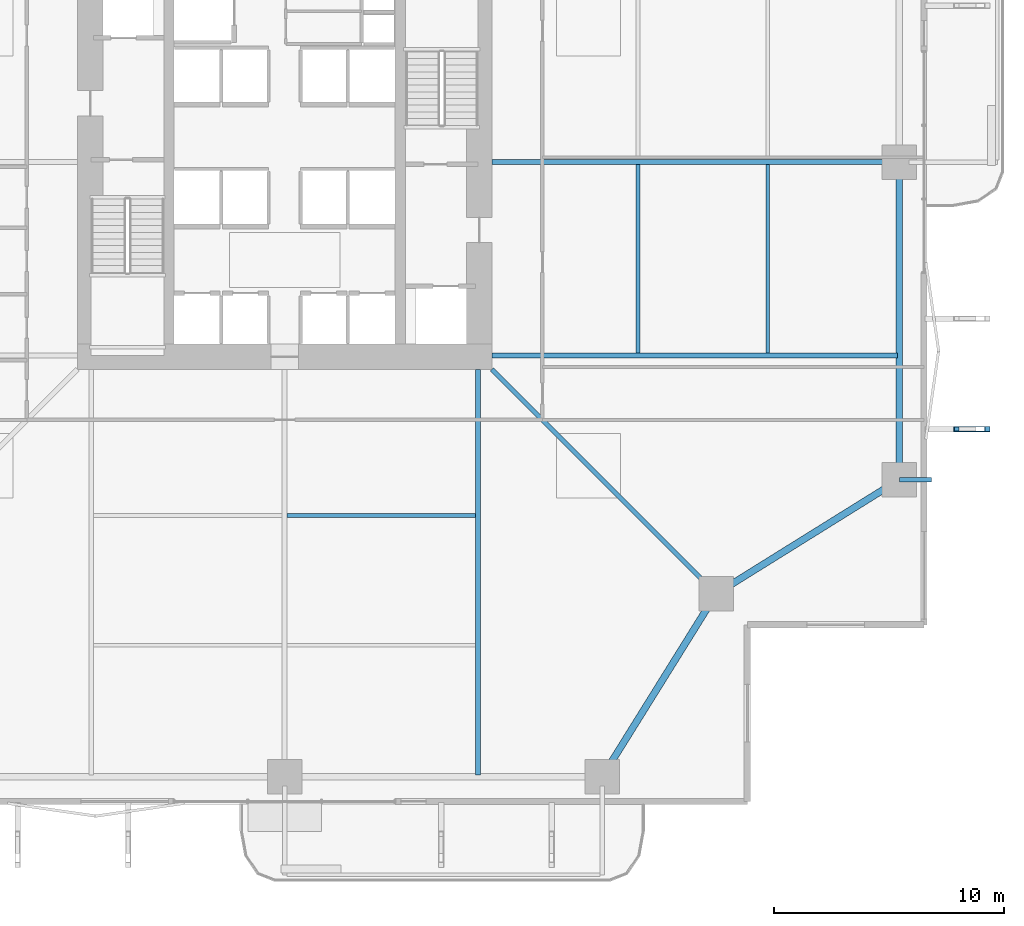
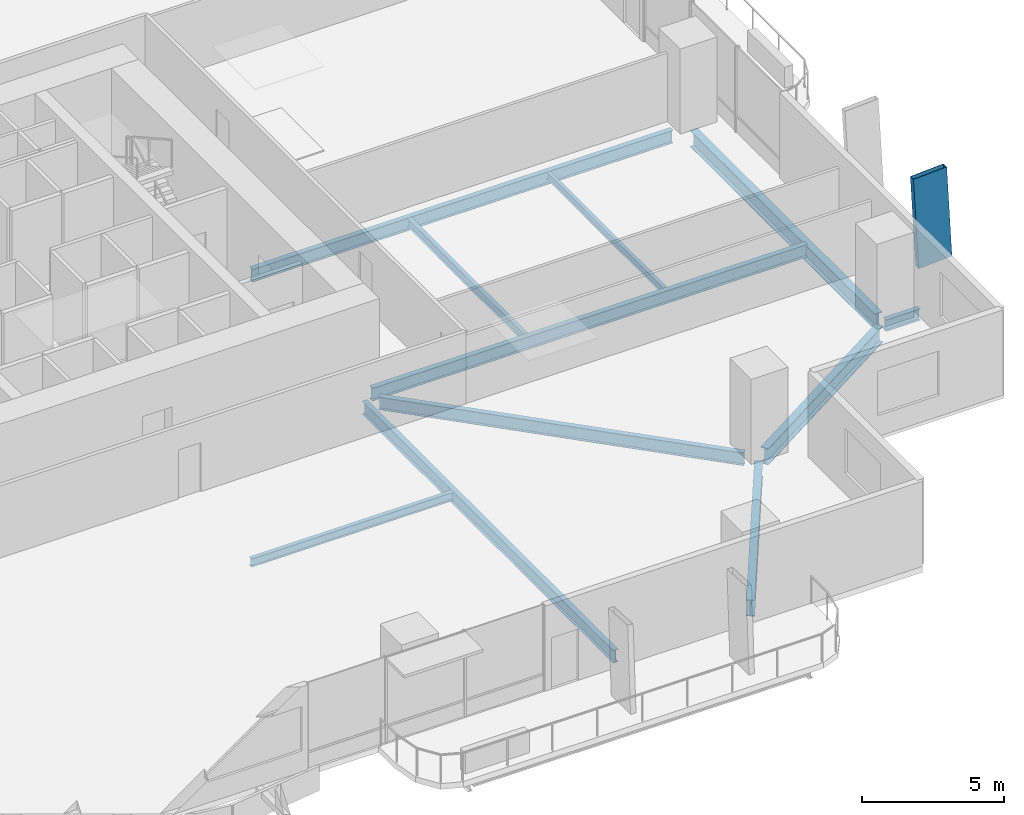
# One storey, part 7 of 23: 11 beams, 1 member.
"""IFC4 building model written with IfcOpenShell, lengths in metres."""

from ifc_helpers import new_model, si_unit, direction, frame, origin, origin_2d, place, context, subcontext, project, spatial, hollow_rectangle, i_section, extrude, material, material_profile, profile_set, type_object, element, save


model = new_model("IFC4")

# Units and contexts
model_context = context("Model", 3, precision=1e-05, world=origin(), true_north=direction((0.0, 1.0)))
body_context = subcontext(model_context, "Body", "Model", "MODEL_VIEW")
ifc_project = project(units=[si_unit("LENGTHUNIT", "METRE"), si_unit("AREAUNIT", "SQUARE_METRE"), si_unit("VOLUMEUNIT", "CUBIC_METRE"), si_unit("PLANEANGLEUNIT", "RADIAN"), si_unit("MASSUNIT", "GRAM", prefix="KILO")], contexts=[model_context])

# Site, building, storey
site_placement = place(None, origin())
site = spatial("IfcSite", under=ifc_project, at=site_placement, CompositionType="ELEMENT")
building_placement = place(site_placement, origin())
building = spatial("IfcBuilding", under=site, at=building_placement, Name="Belovzor Exchange Tower", CompositionType="ELEMENT")
storey_placement = place(building_placement, frame((0.0, 0.0, 57.300048828125)))
storey = spatial("IfcBuildingStorey", under=building, at=storey_placement, Name="L13", CompositionType="ELEMENT", Elevation=57.300048828125)

# Member
ifc_material_1 = material(Name="Extruded Architectural Terracotta on Steel S355 Carrier", Category="masonry")
ifc_material_profile_1 = material_profile(ifc_material_1, hollow_rectangle(XDim=0.219970703125, YDim=1.35009765625, WallThickness=0.013916015625, at=origin_2d()))
ifc_profile_set_1 = profile_set([ifc_material_profile_1], Name="Extruded Architectural Terracotta on Steel S355 Carrier")
member_type = type_object("IfcMemberType", Name="Base Arc Sweeping Terracotta Pylon Fin 1450", PredefinedType="USERDEFINED", material=ifc_profile_set_1)
member_placement = place(storey_placement, frame((58.762939453125, 17.199951171875, -0.25), z_axis=(-0.054756839471, 0.0, 0.998499718844), x_axis=(0.0, -1.0, 0.0)))
element("IfcMember", 1, at=member_placement, inside=storey, type_object=member_type, Name="FIN-TC145 Terracotta Facade Fin L13 E1", ObjectType="FIN", PredefinedType="USERDEFINED", context=body_context, shape_type="SweptSolid", body=[
    extrude(hollow_rectangle(XDim=0.219970703125, YDim=1.35009765625, WallThickness=0.013916015625, at=origin_2d()), origin(), (0.0, 0.0, 1.0), 3.90576171875),
])

# Beams
ifc_material_2 = material(Name="Steel S355", Category="steel")
ifc_material_profile_2 = material_profile(ifc_material_2, i_section(OverallWidth=0.199951171875, OverallDepth=0.5, WebThickness=0.01025390625, FlangeThickness=0.01611328125, at=origin_2d()))
ifc_profile_set_2 = profile_set([ifc_material_profile_2], Name="Steel S355")
beam_type_1 = type_object("IfcBeamType", Name="Planted Balcony Cantilever Beam IPE 500", PredefinedType="BEAM", material=ifc_profile_set_2)
beam_1_placement = place(storey_placement, frame((55.5, 15.0, -0.5), z_axis=(1.0, 0.0, 0.0), x_axis=(0.0, 1.0, 0.0)))
element("IfcBeam", 2, at=beam_1_placement, inside=storey, type_object=beam_type_1, Name="BC-500 Planted Balcony Cantilever Beam IPE 500", PredefinedType="BEAM", context=body_context, shape_type="SweptSolid", body=[
    extrude(i_section(OverallWidth=0.199951171875, OverallDepth=0.5, WebThickness=0.01025390625, FlangeThickness=0.01611328125, at=origin_2d()), origin(), (0.0, 0.0, 1.0), 1.39990234375),
])
ifc_material_3 = material(Name="Steel S355", Category="steel")
ifc_material_profile_3 = material_profile(ifc_material_3, i_section(OverallWidth=0.169921875, OverallDepth=0.360107421875, WebThickness=0.008056640625, FlangeThickness=0.0126953125, at=origin_2d()))
ifc_profile_set_3 = profile_set([ifc_material_profile_3], Name="Steel S355")
beam_type_2 = type_object("IfcBeamType", Name="Secondary Infill Floor Joist IPE 360", PredefinedType="BEAM", material=ifc_profile_set_3)
beam_2_placement = place(storey_placement, frame((28.905029296875, 13.455078125, -0.429931640625), z_axis=(1.0, 0.0, 0.0), x_axis=(0.0, 1.0, 0.0)))
element("IfcBeam", 3, at=beam_2_placement, inside=storey, type_object=beam_type_2, Name="FJ-360 Secondary Infill Floor Joist IPE 360", PredefinedType="BEAM", context=body_context, shape_type="SweptSolid", body=[
    extrude(i_section(OverallWidth=0.169921875, OverallDepth=0.360107421875, WebThickness=0.008056640625, FlangeThickness=0.0126953125, at=origin_2d()), origin(), (0.0, 0.0, 1.0), 8.18994140625),
])
beam_3_placement = place(storey_placement, frame((44.14501953125, 20.5048828125, -0.429931640625), z_axis=(0.0, 1.0, 0.0), x_axis=(-1.0, 0.0, 0.0)))
element("IfcBeam", 4, at=beam_3_placement, inside=storey, type_object=beam_type_2, Name="FJ-360 Secondary Infill Floor Joist IPE 360", PredefinedType="BEAM", context=body_context, shape_type="SweptSolid", body=[
    extrude(i_section(OverallWidth=0.169921875, OverallDepth=0.360107421875, WebThickness=0.008056640625, FlangeThickness=0.0126953125, at=origin_2d()), origin(), (0.0, 0.0, 1.0), 8.190185546875),
])
ifc_material_4 = material(Name="Steel S355", Category="steel")
ifc_material_profile_4 = material_profile(ifc_material_4, i_section(OverallWidth=0.14990234375, OverallDepth=0.300048828125, WebThickness=0.007080078125, FlangeThickness=0.0107421875, at=origin_2d()))
ifc_profile_set_4 = profile_set([ifc_material_profile_4], Name="Steel S355")
beam_type_3 = type_object("IfcBeamType", Name="Secondary Trim Floor Joist IPE 300", PredefinedType="BEAM", material=ifc_profile_set_4)
beam_4_placement = place(storey_placement, frame((49.784912109375, 20.5048828125, -0.400146484375), z_axis=(0.0, 1.0, 0.0), x_axis=(-1.0, 0.0, 0.0)))
element("IfcBeam", 5, at=beam_4_placement, inside=storey, type_object=beam_type_3, Name="FJ-300 Secondary Trim Floor Joist IPE 300", PredefinedType="BEAM", context=body_context, shape_type="SweptSolid", body=[
    extrude(i_section(OverallWidth=0.14990234375, OverallDepth=0.300048828125, WebThickness=0.007080078125, FlangeThickness=0.0107421875, at=origin_2d()), origin(), (0.0, 0.0, 1.0), 8.190185546875),
])
ifc_material_5 = material(Name="Steel S355", Category="steel")
ifc_material_profile_5 = material_profile(ifc_material_5, i_section(OverallWidth=0.300048828125, OverallDepth=0.699951171875, WebThickness=0.01708984375, FlangeThickness=0.031982421875, at=origin_2d()))
ifc_profile_set_5 = profile_set([ifc_material_profile_5], Name="Steel S355")
beam_type_4 = type_object("IfcBeamType", Name="Zone 1 Primary Perimeter Girder HEB 700", PredefinedType="BEAM", material=ifc_profile_set_5)
for number, where, z_axis, x_axis, name in (
    (6, (42.818115234375, 2.449951171875, -0.60009765625), (0.528538629686, 0.848909251292, 0.0), (-0.848909251292, 0.528538629686, 0.0), "FG-Z1 Zone 1 Primary Perimeter Girder HEB 700"),
    (7, (47.89990234375, 10.26806640625, -0.60009765625), (0.848909251292, 0.528538629686, 0.0), (-0.528538629686, 0.848909251292, 0.0), "FG-Z1 Zone 1 Primary Perimeter Girder HEB 700"),
):
    element("IfcBeam", number, at=place(storey_placement, frame(where, z_axis=z_axis, x_axis=x_axis)), inside=storey, type_object=beam_type_4, Name=name, PredefinedType="BEAM", context=body_context, shape_type="SweptSolid", body=[
        extrude(i_section(OverallWidth=0.300048828125, OverallDepth=0.699951171875, WebThickness=0.01708984375, FlangeThickness=0.031982421875, at=origin_2d()), origin(), (0.0, 0.0, 1.0), 8.540283203125),
    ])
beam_5_placement = place(storey_placement, frame((55.5, 15.412109375, -0.60009765625), z_axis=(0.0, 1.0, 0.0), x_axis=(-1.0, 0.0, 0.0)))
element("IfcBeam", 8, at=beam_5_placement, inside=storey, type_object=beam_type_4, Name="FG-Z1 Zone 1 Primary Perimeter Girder HEB 700", PredefinedType="BEAM", context=body_context, shape_type="SweptSolid", body=[
    extrude(i_section(OverallWidth=0.300048828125, OverallDepth=0.699951171875, WebThickness=0.01708984375, FlangeThickness=0.031982421875, at=origin_2d()), origin(), (0.0, 0.0, 1.0), 12.974853515625),
])
ifc_material_6 = material(Name="Steel S355", Category="steel")
ifc_material_profile_6 = material_profile(ifc_material_6, i_section(OverallWidth=0.2099609375, OverallDepth=0.550048828125, WebThickness=0.010986328125, FlangeThickness=0.01708984375, at=origin_2d()))
ifc_profile_set_6 = profile_set([ifc_material_profile_6], Name="Steel S355")
beam_type_5 = type_object("IfcBeamType", Name="Zone 1 Radial Composite Floor Beam IPE 550", PredefinedType="BEAM", material=ifc_profile_set_6)
for number, where, z_axis, x_axis, name in (
    (9, (37.199951171875, 19.800048828125, -0.525146484375), (0.0, -1.0, 0.0), (1.0, 0.0, 0.0), "FB-550 Zone 1 Radial Composite Floor Beam IPE 550"),
    (10, (37.800048828125, 20.39990234375, -0.525146484375), (1.0, 0.0, 0.0), (0.0, 1.0, 0.0), "FB-550 Zone 1 Radial Composite Floor Beam IPE 550"),
):
    element("IfcBeam", number, at=place(storey_placement, frame(where, z_axis=z_axis, x_axis=x_axis)), inside=storey, type_object=beam_type_5, Name=name, PredefinedType="BEAM", context=body_context, shape_type="SweptSolid", body=[
        extrude(i_section(OverallWidth=0.2099609375, OverallDepth=0.550048828125, WebThickness=0.010986328125, FlangeThickness=0.01708984375, at=origin_2d()), origin(), (0.0, 0.0, 1.0), 17.625),
    ])
beam_6_placement = place(storey_placement, frame((37.800048828125, 28.800048828125, -0.525146484375), z_axis=(1.0, 0.0, 0.0), x_axis=(0.0, 1.0, 0.0)))
element("IfcBeam", 11, at=beam_6_placement, inside=storey, type_object=beam_type_5, Name="FB-550 Zone 1 Radial Composite Floor Beam IPE 550", PredefinedType="BEAM", context=body_context, shape_type="SweptSolid", body=[
    extrude(i_section(OverallWidth=0.2099609375, OverallDepth=0.550048828125, WebThickness=0.010986328125, FlangeThickness=0.01708984375, at=origin_2d()), origin(), (0.0, 0.0, 1.0), 17.0400390625),
])
beam_7_placement = place(storey_placement, frame((37.800048828125, 19.800048828125, -0.525146484375), z_axis=(0.707106781187, -0.707106781187, 0.0), x_axis=(0.707106781187, 0.707106781187, 0.0)))
element("IfcBeam", 12, at=beam_7_placement, inside=storey, type_object=beam_type_5, Name="FB-550 Zone 1 Radial Composite Floor Beam IPE 550", PredefinedType="BEAM", context=body_context, shape_type="SweptSolid", body=[
    extrude(i_section(OverallWidth=0.2099609375, OverallDepth=0.550048828125, WebThickness=0.010986328125, FlangeThickness=0.01708984375, at=origin_2d()), origin(), (0.0, 0.0, 1.0), 13.25830078125),
])

save(model, "model.ifc")
